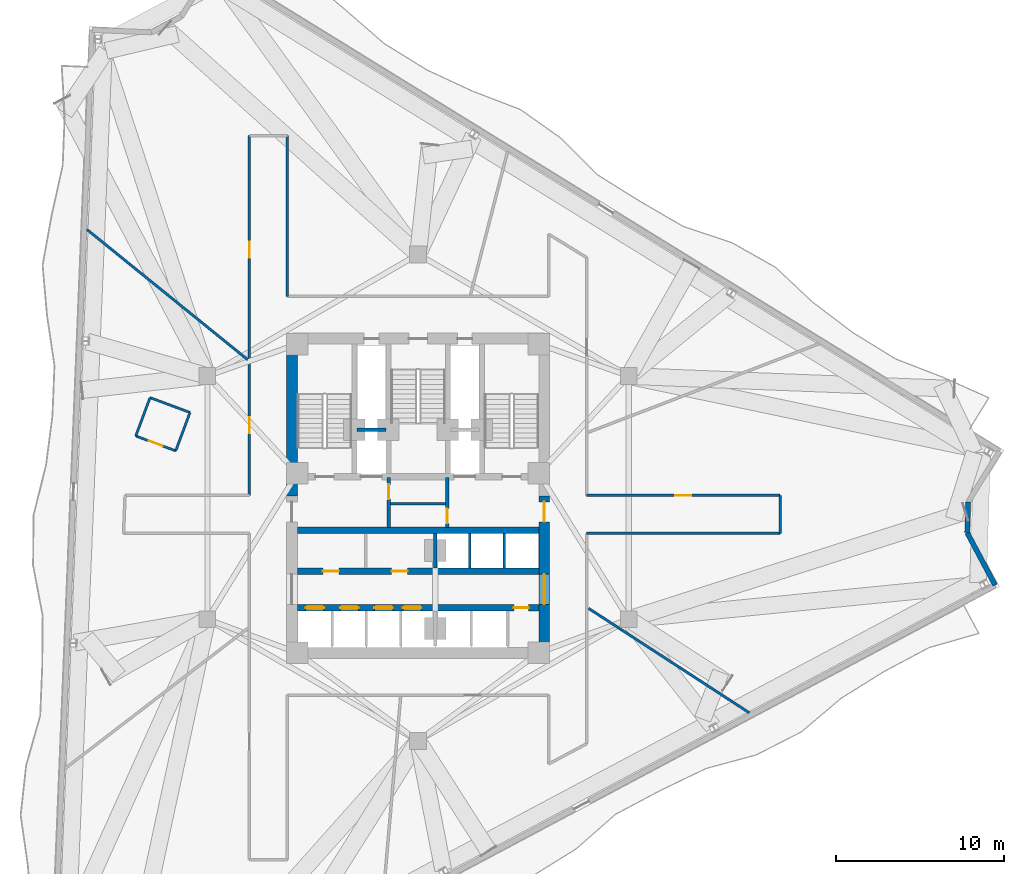
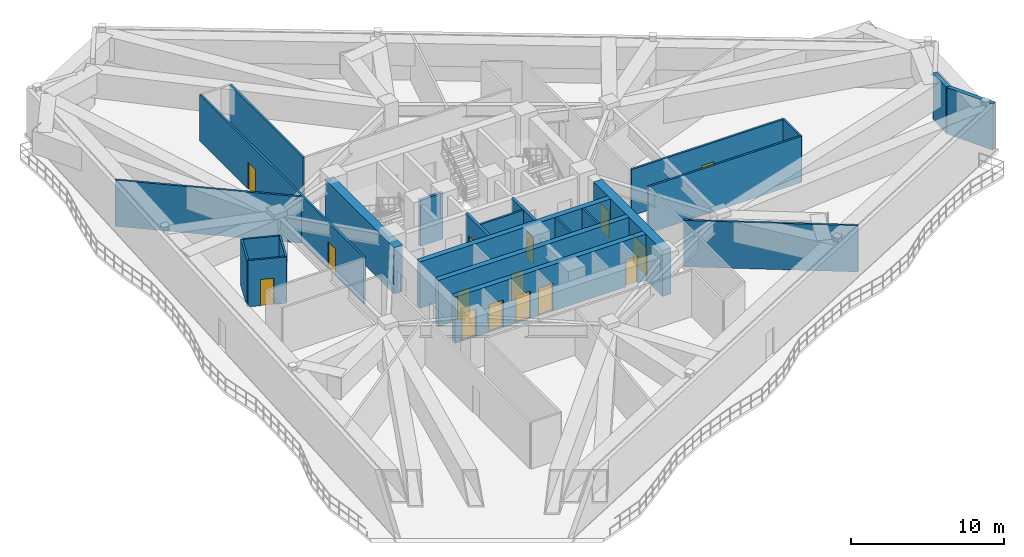
# One storey, part 9 of 14: 25 walls, 15 doors, 15 openings.
"""IFC4 building model written with IfcOpenShell, lengths in metres."""

from ifc_helpers import new_model, si_unit, direction, frame, frame_2d, origin, place, context, subcontext, project, spatial, rectangle, extrude, material, layer, layer_set, type_object, element, fill, save


model = new_model("IFC4")

# Units and contexts
model_context = context("Model", 3, precision=1e-05, world=origin(), true_north=direction((0.0, 1.0)))
body_context = subcontext(model_context, "Body", "Model", "MODEL_VIEW")
ifc_project = project(units=[si_unit("LENGTHUNIT", "METRE"), si_unit("AREAUNIT", "SQUARE_METRE"), si_unit("VOLUMEUNIT", "CUBIC_METRE"), si_unit("PLANEANGLEUNIT", "RADIAN"), si_unit("MASSUNIT", "GRAM", prefix="KILO")], contexts=[model_context])

# Site, building, storey
site_placement = place(None, origin())
site = spatial("IfcSite", under=ifc_project, at=site_placement, CompositionType="ELEMENT")
building_placement = place(site_placement, origin())
building = spatial("IfcBuilding", under=site, at=building_placement, Name="Apsidion Concourse Tower", CompositionType="ELEMENT")
storey_placement = place(building_placement, frame((0.0, 0.0, 190.10009765625)))
storey = spatial("IfcBuildingStorey", under=building, at=storey_placement, Name="L44", CompositionType="ELEMENT", Elevation=190.10009765625)

# Walls
ifc_material_1 = material(Name="Precast concrete C40/50", Category="concrete")
ifc_layer_1 = layer(ifc_material_1, 0.300048828125)
ifc_layer_set_1 = layer_set([ifc_layer_1], Name="Precast concrete C40/50")
wall_type_1 = type_object("IfcWallType", Name="WL-EXT-300", PredefinedType="STANDARD", material=ifc_layer_set_1)
wall_1_placement = place(storey_placement, frame((32.794189453125, -0.25244140625, 0.0), z_axis=(0.0, 0.0, 1.0), x_axis=(-0.031873247483, -0.999491918974, 0.0)))
element("IfcWall", 1, at=wall_1_placement, inside=storey, type_object=wall_type_1, Name="L44 Precast Stone Facade Wall 03", PredefinedType="STANDARD", context=body_context, shape_type="SweptSolid", body=[
    extrude(rectangle(XDim=1.83837890625, YDim=0.300048828125, at=frame_2d((0.919189453125, 0.0))), origin(), (0.0, 0.0, 1.0), 3.699951171875),
])
wall_2_placement = place(storey_placement, frame((32.735595703125, -2.08984375, 0.0), z_axis=(0.0, 0.0, 1.0), x_axis=(0.469464339615, -0.882951433449, 0.0)))
element("IfcWall", 2, at=wall_2_placement, inside=storey, type_object=wall_type_1, Name="L44 Precast Stone Facade Wall 04", PredefinedType="STANDARD", context=body_context, shape_type="SweptSolid", body=[
    extrude(rectangle(XDim=3.54150390625, YDim=0.300048828125, at=frame_2d((1.770751953125, 0.0))), origin(), (0.0, 0.0, 1.0), 3.699951171875),
])
ifc_material_2 = material(Name="Gypsum plasterboard partition")
ifc_layer_2 = layer(ifc_material_2, 0.139892578125)
ifc_layer_set_2 = layer_set([ifc_layer_2], Name="Gypsum plasterboard partition")
wall_type_2 = type_object("IfcWallType", Name="WL-INT-PAR-140", PredefinedType="PARTITIONING", material=ifc_layer_set_2)
wall_3_placement = place(storey_placement, frame((-13.59521484375, 5.076904296875, 0.0), z_axis=(0.0, 0.0, 1.0), x_axis=(-0.937273708628, 0.348594313084, 0.0)))
element("IfcWall", 3, at=wall_3_placement, inside=storey, type_object=wall_type_2, Name="L44 Interior Partition WL-L44-POD-OFAWC-S1", PredefinedType="PARTITIONING", context=body_context, shape_type="SweptSolid", body=[
    extrude(rectangle(XDim=2.540283203125, YDim=0.139892578125, at=frame_2d((1.27001953125, 0.0))), origin(), (0.0, 0.0, 1.0), 3.699951171875),
])
wall_4_placement = place(storey_placement, frame((-15.97607421875, 5.96240234375, 0.0), z_axis=(0.0, 0.0, 1.0), x_axis=(-0.348523164611, -0.937300167358, 0.0)))
element("IfcWall", 4, at=wall_4_placement, inside=storey, type_object=wall_type_2, Name="L44 Interior Partition WL-L44-POD-OFAWC-S2", PredefinedType="PARTITIONING", context=body_context, shape_type="SweptSolid", body=[
    extrude(rectangle(XDim=2.43994140625, YDim=0.139892578125, at=frame_2d((1.219970703125, 0.0))), origin(), (0.0, 0.0, 1.0), 3.699951171875),
])

# Wall, opening, door
wall_5_placement = place(storey_placement, frame((-16.826416015625, 3.675537109375, 0.0), z_axis=(0.0, 0.0, 1.0), x_axis=(0.937262027843, -0.348625717874, 0.0)))
wall_5 = element("IfcWall", 5, at=wall_5_placement, inside=storey, type_object=wall_type_2, Name="L44 Interior Partition WL-L44-POD-OFAWC-S3", PredefinedType="PARTITIONING", context=body_context, shape_type="SweptSolid", body=[
    extrude(rectangle(XDim=2.5400390625, YDim=0.139892578125, at=frame_2d((1.27001953125, 0.0))), origin(), (0.0, 0.0, 1.0), 3.699951171875),
])
opening_1_placement = place(wall_5_placement, frame((0.830078125, 0.0, 0.0)))
opening_1 = element("IfcOpeningElement", 6, at=opening_1_placement, cuts=wall_5, Name="Opening D-03R", PredefinedType="OPENING", context=body_context, shape_type="SweptSolid", body=[
    extrude(rectangle(XDim=0.8798828125, YDim=2.10009765625, at=frame_2d((0.43994140625, 1.050048828125))), frame((0.0, 0.080078125, 0.0), z_axis=(0.0, -1.0, 0.0), x_axis=(1.0, 0.0, 0.0)), (0.0, 0.0, 1.0), 0.159912109375),
])
ifc_material_3 = material(Name="Anodised aluminium EN AW-6063 T6", Category="aluminium")
door_type_1 = type_object("IfcDoorType", Name="DR-INT-D03R", OperationType="SINGLE_SWING_RIGHT", PredefinedType="DOOR", material=ifc_material_3)
door_1_placement = place(opening_1_placement, origin())
door_1 = element("IfcDoor", 7, at=door_1_placement, inside=storey, type_object=door_type_1, Name="L44 Office Accessible WC Door OFAWC", OperationType="SINGLE_SWING_RIGHT", OverallHeight=2.10009765625, OverallWidth=0.8798828125, PredefinedType="DOOR", context=body_context, shape_type="SweptSolid", body=[
    extrude(rectangle(XDim=0.8798828125, YDim=2.10009765625, at=frame_2d((0.43994140625, 1.050048828125))), frame((0.0, 0.02490234375, 0.0), z_axis=(0.0, -1.0, 0.0), x_axis=(1.0, 0.0, 0.0)), (0.0, 0.0, 1.0), 0.050048828125),
])
fill(opening_1, door_1)

# Walls
wall_6_placement = place(storey_placement, frame((-14.44580078125, 2.7900390625, 0.0), z_axis=(0.0, 0.0, 1.0), x_axis=(0.348611069462, 0.937267476363, 0.0)))
element("IfcWall", 8, at=wall_6_placement, inside=storey, type_object=wall_type_2, Name="L44 Interior Partition WL-L44-POD-OFAWC-S4", PredefinedType="PARTITIONING", context=body_context, shape_type="SweptSolid", body=[
    extrude(rectangle(XDim=2.43994140625, YDim=0.139892578125, at=frame_2d((1.219970703125, 0.0))), origin(), (0.0, 0.0, 1.0), 3.699951171875),
])
ifc_layer_3 = layer(ifc_material_2, 0.14990234375)
ifc_layer_set_3 = layer_set([ifc_layer_3], Name="Gypsum plasterboard partition")
wall_type_3 = type_object("IfcWallType", Name="WL-INT-PAR-150", PredefinedType="PARTITIONING", material=ifc_layer_set_3)
for number, where, z_axis, x_axis, name in (
    (9, (3.074951171875, -4.179931640625, 0.0), (0.0, 0.0, 1.0), (0.0, 1.0, 0.0), "L44 Interior Partition WL-L44-B3DIV-1"),
    (10, (5.125, -4.179931640625, 0.0), (0.0, 0.0, 1.0), (0.0, 1.0, 0.0), "L44 Interior Partition WL-L44-B3DIV-2"),
):
    element("IfcWall", number, at=place(storey_placement, frame(where, z_axis=z_axis, x_axis=x_axis)), inside=storey, type_object=wall_type_3, Name=name, PredefinedType="PARTITIONING", context=body_context, shape_type="SweptSolid", body=[
        extrude(rectangle(XDim=2.030029296875, YDim=0.14990234375, at=frame_2d((1.01513671875, 0.0))), origin(), (0.0, 0.0, 1.0), 3.699951171875),
    ])
wall_7_placement = place(storey_placement, frame((-1.6298828125, -0.35009765625, 0.0), z_axis=(0.0, 0.0, 1.0), x_axis=(1.0, 0.0, 0.0)))
element("IfcWall", 11, at=wall_7_placement, inside=storey, type_object=wall_type_3, Name="L44 Interior Partition WL-L44-K2H", PredefinedType="PARTITIONING", context=body_context, shape_type="SweptSolid", body=[
    extrude(rectangle(XDim=3.259765625, YDim=0.14990234375, at=frame_2d((1.6298828125, 0.0))), origin(), (0.0, 0.0, 1.0), 3.699951171875),
])

# Wall, openings, doors
wall_8_placement = place(storey_placement, frame((-10.050048828125, 0.1298828125, 0.0), z_axis=(0.0, 0.0, 1.0), x_axis=(0.0, 1.0, 0.0)))
wall_8 = element("IfcWall", 12, at=wall_8_placement, inside=storey, type_object=wall_type_3, Name="L44 Interior Partition WL-L44-CORR-10", PredefinedType="PARTITIONING", context=body_context, shape_type="SweptSolid", body=[
    extrude(rectangle(XDim=21.4501953125, YDim=0.14990234375, at=frame_2d((10.72509765625, 0.0))), origin(), (0.0, 0.0, 1.0), 3.699951171875),
])
opening_2_placement = place(wall_8_placement, frame((3.69921875, 0.0, 0.0)))
opening_2 = element("IfcOpeningElement", 13, at=opening_2_placement, cuts=wall_8, Name="Opening D-01L", PredefinedType="OPENING", context=body_context, shape_type="SweptSolid", body=[
    extrude(rectangle(XDim=0.949951171875, YDim=2.14990234375, at=frame_2d((0.47509765625, 1.074951171875))), frame((0.0, 0.0849609375, 0.0), z_axis=(0.0, -1.0, 0.0), x_axis=(1.0, 0.0, 0.0)), (0.0, 0.0, 1.0), 0.169921875),
])
opening_3_placement = place(wall_8_placement, frame((14.171142578125, 0.0, 0.0)))
opening_3 = element("IfcOpeningElement", 14, at=opening_3_placement, cuts=wall_8, Name="Opening D-01R", PredefinedType="OPENING", context=body_context, shape_type="SweptSolid", body=[
    extrude(rectangle(XDim=0.949951171875, YDim=2.14990234375, at=frame_2d((0.47509765625, 1.074951171875))), frame((0.0, 0.0849609375, 0.0), z_axis=(0.0, -1.0, 0.0), x_axis=(1.0, 0.0, 0.0)), (0.0, 0.0, 1.0), 0.169921875),
])
ifc_material_4 = material(Name="Brushed stainless steel 316", Category="steel")
door_type_2 = type_object("IfcDoorType", Name="DR-INT-D01L", OperationType="SINGLE_SWING_LEFT", PredefinedType="DOOR", material=ifc_material_4)
door_2_placement = place(opening_2_placement, origin())
door_2 = element("IfcDoor", 15, at=door_2_placement, inside=storey, type_object=door_type_2, Name="L44 Corridor Entry Door 01", OperationType="SINGLE_SWING_LEFT", OverallHeight=2.14990234375, OverallWidth=0.949951171875, PredefinedType="DOOR", context=body_context, shape_type="SweptSolid", body=[
    extrude(rectangle(XDim=0.949951171875, YDim=2.14990234375, at=frame_2d((0.47509765625, 1.074951171875))), frame((0.0, 0.02490234375, 0.0), z_axis=(0.0, -1.0, 0.0), x_axis=(1.0, 0.0, 0.0)), (0.0, 0.0, 1.0), 0.050048828125),
])
fill(opening_2, door_2)
door_type_3 = type_object("IfcDoorType", Name="DR-INT-D01R", OperationType="SINGLE_SWING_RIGHT", PredefinedType="DOOR", material=ifc_material_4)
door_3_placement = place(opening_3_placement, origin())
door_3 = element("IfcDoor", 16, at=door_3_placement, inside=storey, type_object=door_type_3, Name="L44 Corridor Entry Door 06", OperationType="SINGLE_SWING_RIGHT", OverallHeight=2.14990234375, OverallWidth=0.949951171875, PredefinedType="DOOR", context=body_context, shape_type="SweptSolid", body=[
    extrude(rectangle(XDim=0.949951171875, YDim=2.14990234375, at=frame_2d((0.47509765625, 1.074951171875))), frame((0.0, 0.02490234375, 0.0), z_axis=(0.0, -1.0, 0.0), x_axis=(1.0, 0.0, 0.0)), (0.0, 0.0, 1.0), 0.050048828125),
])
fill(opening_3, door_3)

# Wall
wall_9_placement = place(storey_placement, frame((-7.7900390625, 21.580078125, 0.0), z_axis=(0.0, 0.0, 1.0), x_axis=(0.0, -1.0, 0.0)))
element("IfcWall", 17, at=wall_9_placement, inside=storey, type_object=wall_type_3, Name="L44 Interior Partition WL-L44-CORR-12", PredefinedType="PARTITIONING", context=body_context, shape_type="SweptSolid", body=[
    extrude(rectangle(XDim=9.580078125, YDim=0.14990234375, at=frame_2d((4.7900390625, 0.0))), origin(), (0.0, 0.0, 1.0), 3.699951171875),
])

# Wall, opening, door
wall_10_placement = place(storey_placement, frame((10.050048828125, 0.1298828125, 0.0), z_axis=(0.0, 0.0, 1.0), x_axis=(1.0, 0.0, 0.0)))
wall_10 = element("IfcWall", 18, at=wall_10_placement, inside=storey, type_object=wall_type_3, Name="L44 Interior Partition WL-L44-CORR-17", PredefinedType="PARTITIONING", context=body_context, shape_type="SweptSolid", body=[
    extrude(rectangle(XDim=11.530029296875, YDim=0.14990234375, at=frame_2d((5.76513671875, 0.0))), origin(), (0.0, 0.0, 1.0), 3.699951171875),
])
opening_4_placement = place(wall_10_placement, frame((5.2900390625, 0.0, 0.0)))
opening_4 = element("IfcOpeningElement", 19, at=opening_4_placement, cuts=wall_10, Name="Opening D-01R", PredefinedType="OPENING", context=body_context, shape_type="SweptSolid", body=[
    extrude(rectangle(XDim=0.949951171875, YDim=2.14990234375, at=frame_2d((0.47509765625, 1.074951171875))), frame((0.0, 0.0849609375, 0.0), z_axis=(0.0, -1.0, 0.0), x_axis=(1.0, 0.0, 0.0)), (0.0, 0.0, 1.0), 0.169921875),
])
door_4_placement = place(opening_4_placement, origin())
door_4 = element("IfcDoor", 20, at=door_4_placement, inside=storey, type_object=door_type_3, Name="L44 Corridor Entry Door 04", OperationType="SINGLE_SWING_RIGHT", OverallHeight=2.14990234375, OverallWidth=0.949951171875, PredefinedType="DOOR", context=body_context, shape_type="SweptSolid", body=[
    extrude(rectangle(XDim=0.949951171875, YDim=2.14990234375, at=frame_2d((0.47509765625, 1.074951171875))), frame((0.0, 0.02490234375, 0.0), z_axis=(0.0, -1.0, 0.0), x_axis=(1.0, 0.0, 0.0)), (0.0, 0.0, 1.0), 0.050048828125),
])
fill(opening_4, door_4)

# Walls
wall_11_placement = place(storey_placement, frame((21.580078125, 0.1298828125, 0.0), z_axis=(0.0, 0.0, 1.0), x_axis=(0.0, -1.0, 0.0)))
element("IfcWall", 21, at=wall_11_placement, inside=storey, type_object=wall_type_3, Name="L44 Interior Partition WL-L44-CORR-18", PredefinedType="PARTITIONING", context=body_context, shape_type="SweptSolid", body=[
    extrude(rectangle(XDim=2.259765625, YDim=0.14990234375, at=frame_2d((1.1298828125, 0.0))), origin(), (0.0, 0.0, 1.0), 3.699951171875),
])
wall_12_placement = place(storey_placement, frame((21.580078125, -2.1298828125, 0.0), z_axis=(0.0, 0.0, 1.0), x_axis=(-1.0, 0.0, 0.0)))
element("IfcWall", 22, at=wall_12_placement, inside=storey, type_object=wall_type_3, Name="L44 Interior Partition WL-L44-CORR-19", PredefinedType="PARTITIONING", context=body_context, shape_type="SweptSolid", body=[
    extrude(rectangle(XDim=11.530029296875, YDim=0.14990234375, at=frame_2d((5.76513671875, 0.0))), origin(), (0.0, 0.0, 1.0), 3.699951171875),
])
wall_13_placement = place(storey_placement, frame((-10.155029296875, 8.223388671875, 0.0), z_axis=(0.0, 0.0, 1.0), x_axis=(-0.777144819035, 0.629321801821, 0.0)))
element("IfcWall", 23, at=wall_13_placement, inside=storey, type_object=wall_type_3, Name="L44 Interior Partition WL-L44-RAD-03-1", PredefinedType="PARTITIONING", context=body_context, shape_type="SweptSolid", body=[
    extrude(rectangle(XDim=12.332275390625, YDim=0.14990234375, at=frame_2d((6.166015625, 0.0))), origin(), (0.0, 0.0, 1.0), 3.699951171875),
])
wall_14_placement = place(storey_placement, frame((10.155029296875, -6.5947265625, 0.0), z_axis=(0.0, 0.0, 1.0), x_axis=(0.838665527381, -0.544646796725, 0.0)))
element("IfcWall", 24, at=wall_14_placement, inside=storey, type_object=wall_type_3, Name="L44 Interior Partition WL-L44-RAD-06-1", PredefinedType="PARTITIONING", context=body_context, shape_type="SweptSolid", body=[
    extrude(rectangle(XDim=11.43310546875, YDim=0.14990234375, at=frame_2d((5.716552734375, 0.0))), origin(), (0.0, 0.0, 1.0), 3.699951171875),
])
ifc_layer_4 = layer(ifc_material_2, 0.179931640625)
ifc_layer_set_4 = layer_set([ifc_layer_4], Name="Gypsum plasterboard partition")
wall_type_4 = type_object("IfcWallType", Name="WL-INT-PAR-180", PredefinedType="PARTITIONING", material=ifc_layer_set_4)
wall_15_placement = place(storey_placement, frame((1.02490234375, -4.179931640625, 0.0), z_axis=(0.0, 0.0, 1.0), x_axis=(0.0, 1.0, 0.0)))
element("IfcWall", 25, at=wall_15_placement, inside=storey, type_object=wall_type_4, Name="L44 Interior Partition WL-L44-B1END", PredefinedType="PARTITIONING", context=body_context, shape_type="SweptSolid", body=[
    extrude(rectangle(XDim=2.030029296875, YDim=0.179931640625, at=frame_2d((1.01513671875, 0.0))), origin(), (0.0, 0.0, 1.0), 2.747802734375),
])
ifc_layer_5 = layer(ifc_material_2, 0.199951171875)
ifc_layer_set_5 = layer_set([ifc_layer_5], Name="Gypsum plasterboard partition")
wall_type_5 = type_object("IfcWallType", Name="WL-INT-PAR-200", PredefinedType="PARTITIONING", material=ifc_layer_set_5)
wall_16_placement = place(storey_placement, frame((-3.64990234375, 4.050048828125, 0.0), z_axis=(0.0, 0.0, 1.0), x_axis=(1.0, 0.0, 0.0)))
element("IfcWall", 26, at=wall_16_placement, inside=storey, type_object=wall_type_5, Name="L44 Interior Partition WL-L44-FF1-N", PredefinedType="PARTITIONING", context=body_context, shape_type="SweptSolid", body=[
    extrude(rectangle(XDim=1.72998046875, YDim=0.199951171875, at=frame_2d((0.864990234375, 0.0))), origin(), (0.0, 0.0, 1.0), 3.699951171875),
])

# Wall, opening, door
wall_17_placement = place(storey_placement, frame((-1.739990234375, -1.780029296875, 0.0), z_axis=(0.0, 0.0, 1.0), x_axis=(0.0, 1.0, 0.0)))
wall_17 = element("IfcWall", 27, at=wall_17_placement, inside=storey, type_object=wall_type_5, Name="L44 Interior Partition WL-L44-FF1-E", PredefinedType="PARTITIONING", context=body_context, shape_type="SweptSolid", body=[
    extrude(rectangle(XDim=2.97998046875, YDim=0.199951171875, at=frame_2d((1.489990234375, 0.0))), origin(), (0.0, 0.0, 1.0), 3.699951171875),
])
opening_5_placement = place(wall_17_placement, frame((1.68994140625, 0.0, 0.0)))
opening_5 = element("IfcOpeningElement", 28, at=opening_5_placement, cuts=wall_17, Name="Opening D-05L", PredefinedType="OPENING", context=body_context, shape_type="SweptSolid", body=[
    extrude(rectangle(XDim=0.8798828125, YDim=2.14990234375, at=frame_2d((0.43994140625, 1.074951171875))), frame((0.0, 0.10986328125, 0.0), z_axis=(0.0, -1.0, 0.0), x_axis=(1.0, 0.0, 0.0)), (0.0, 0.0, 1.0), 0.219970703125),
])
door_type_4 = type_object("IfcDoorType", Name="DR-INT-D05L", OperationType="SINGLE_SWING_LEFT", PredefinedType="DOOR", material=ifc_material_4)
door_5_placement = place(opening_5_placement, origin())
door_5 = element("IfcDoor", 29, at=door_5_placement, inside=storey, type_object=door_type_4, Name="L44 Core Staff WC Door", OperationType="SINGLE_SWING_LEFT", OverallHeight=2.14990234375, OverallWidth=0.8798828125, PredefinedType="DOOR", context=body_context, shape_type="SweptSolid", body=[
    extrude(rectangle(XDim=0.8798828125, YDim=2.14990234375, at=frame_2d((0.43994140625, 1.074951171875))), frame((0.0, 0.02490234375, 0.0), z_axis=(0.0, -1.0, 0.0), x_axis=(1.0, 0.0, 0.0)), (0.0, 0.0, 1.0), 0.050048828125),
])
fill(opening_5, door_5)

wall_18_placement = place(storey_placement, frame((1.739990234375, -1.780029296875, 0.0), z_axis=(0.0, 0.0, 1.0), x_axis=(0.0, 1.0, 0.0)))
wall_18 = element("IfcWall", 30, at=wall_18_placement, inside=storey, type_object=wall_type_5, Name="L44 Interior Partition WL-L44-FF2-W", PredefinedType="PARTITIONING", context=body_context, shape_type="SweptSolid", body=[
    extrude(rectangle(XDim=2.97998046875, YDim=0.199951171875, at=frame_2d((1.489990234375, 0.0))), origin(), (0.0, 0.0, 1.0), 3.699951171875),
])
opening_6_placement = place(wall_18_placement, frame((0.239990234375, 0.0, 0.0)))
opening_6 = element("IfcOpeningElement", 31, at=opening_6_placement, cuts=wall_18, Name="Opening D-05R", PredefinedType="OPENING", context=body_context, shape_type="SweptSolid", body=[
    extrude(rectangle(XDim=0.8798828125, YDim=2.14990234375, at=frame_2d((0.43994140625, 1.074951171875))), frame((0.0, 0.10986328125, 0.0), z_axis=(0.0, -1.0, 0.0), x_axis=(1.0, 0.0, 0.0)), (0.0, 0.0, 1.0), 0.219970703125),
])
door_type_5 = type_object("IfcDoorType", Name="DR-INT-D05R", OperationType="SINGLE_SWING_RIGHT", PredefinedType="DOOR", material=ifc_material_4)
door_6_placement = place(opening_6_placement, origin())
door_6 = element("IfcDoor", 32, at=door_6_placement, inside=storey, type_object=door_type_5, Name="L44 Core Supply Store Door", OperationType="SINGLE_SWING_RIGHT", OverallHeight=2.14990234375, OverallWidth=0.8798828125, PredefinedType="DOOR", context=body_context, shape_type="SweptSolid", body=[
    extrude(rectangle(XDim=0.8798828125, YDim=2.14990234375, at=frame_2d((0.43994140625, 1.074951171875))), frame((0.0, 0.02490234375, 0.0), z_axis=(0.0, -1.0, 0.0), x_axis=(1.0, 0.0, 0.0)), (0.0, 0.0, 1.0), 0.050048828125),
])
fill(opening_6, door_6)

# Wall
ifc_material_5 = material(Name="Concrete C50/60", Category="concrete")
ifc_layer_6 = layer(ifc_material_5, 0.39990234375)
ifc_layer_set_6 = layer_set([ifc_layer_6], Name="Concrete C50/60")
wall_type_6 = type_object("IfcWallType", Name="WL-SH-400", PredefinedType="SHEAR", material=ifc_layer_set_6)
wall_19_placement = place(storey_placement, frame((-7.199951171875, -1.949951171875, 0.0), z_axis=(0.0, 0.0, 1.0), x_axis=(1.0, 0.0, 0.0)))
element("IfcWall", 33, at=wall_19_placement, inside=storey, type_object=wall_type_6, Name="L44 Central Core Shear Wall M2", PredefinedType="SHEAR", context=body_context, shape_type="SweptSolid", body=[
    extrude(rectangle(XDim=14.39990234375, YDim=0.39990234375, at=frame_2d((7.199951171875, 0.0))), origin(), (0.0, 0.0, 1.0), 3.699951171875),
])

# Wall, openings, doors
wall_20_placement = place(storey_placement, frame((-7.199951171875, -4.3798828125, 0.0), z_axis=(0.0, 0.0, 1.0), x_axis=(1.0, 0.0, 0.0)))
wall_20 = element("IfcWall", 34, at=wall_20_placement, inside=storey, type_object=wall_type_6, Name="L44 Central Core Shear Wall LA", PredefinedType="SHEAR", context=body_context, shape_type="SweptSolid", body=[
    extrude(rectangle(XDim=14.39990234375, YDim=0.39990234375, at=frame_2d((7.199951171875, 0.0))), origin(), (0.0, 0.0, 1.0), 3.699951171875),
])
opening_7_placement = place(wall_20_placement, frame((1.52490234375, 0.0, 0.0)))
opening_7 = element("IfcOpeningElement", 35, at=opening_7_placement, cuts=wall_20, Name="Opening D-04L", PredefinedType="OPENING", context=body_context, shape_type="SweptSolid", body=[
    extrude(rectangle(XDim=0.949951171875, YDim=2.14990234375, at=frame_2d((0.47509765625, 1.074951171875))), frame((0.0, 0.2099609375, 0.0), z_axis=(0.0, -1.0, 0.0), x_axis=(1.0, 0.0, 0.0)), (0.0, 0.0, 1.0), 0.419921875),
])
opening_8_placement = place(wall_20_placement, frame((5.625, 0.0, 0.0)))
opening_8 = element("IfcOpeningElement", 36, at=opening_8_placement, cuts=wall_20, Name="Opening D-04R", PredefinedType="OPENING", context=body_context, shape_type="SweptSolid", body=[
    extrude(rectangle(XDim=0.949951171875, YDim=2.14990234375, at=frame_2d((0.47509765625, 1.074951171875))), frame((0.0, 0.2099609375, 0.0), z_axis=(0.0, -1.0, 0.0), x_axis=(1.0, 0.0, 0.0)), (0.0, 0.0, 1.0), 0.419921875),
])
door_type_6 = type_object("IfcDoorType", Name="DR-INT-D04L", OperationType="SINGLE_SWING_LEFT", PredefinedType="DOOR", material=ifc_material_4)
door_7_placement = place(opening_7_placement, origin())
door_7 = element("IfcDoor", 37, at=door_7_placement, inside=storey, type_object=door_type_6, Name="L44 Tenant Archive Room West Door", OperationType="SINGLE_SWING_LEFT", OverallHeight=2.14990234375, OverallWidth=0.949951171875, PredefinedType="DOOR", context=body_context, shape_type="SweptSolid", body=[
    extrude(rectangle(XDim=0.949951171875, YDim=2.14990234375, at=frame_2d((0.47509765625, 1.074951171875))), frame((0.0, 0.02490234375, 0.0), z_axis=(0.0, -1.0, 0.0), x_axis=(1.0, 0.0, 0.0)), (0.0, 0.0, 1.0), 0.050048828125),
])
fill(opening_7, door_7)
door_type_7 = type_object("IfcDoorType", Name="DR-INT-D04R", OperationType="SINGLE_SWING_RIGHT", PredefinedType="DOOR", material=ifc_material_4)
door_8_placement = place(opening_8_placement, origin())
door_8 = element("IfcDoor", 38, at=door_8_placement, inside=storey, type_object=door_type_7, Name="L44 Core Print and Copy Room Door", OperationType="SINGLE_SWING_RIGHT", OverallHeight=2.14990234375, OverallWidth=0.949951171875, PredefinedType="DOOR", context=body_context, shape_type="SweptSolid", body=[
    extrude(rectangle(XDim=0.949951171875, YDim=2.14990234375, at=frame_2d((0.47509765625, 1.074951171875))), frame((0.0, 0.02490234375, 0.0), z_axis=(0.0, -1.0, 0.0), x_axis=(1.0, 0.0, 0.0)), (0.0, 0.0, 1.0), 0.050048828125),
])
fill(opening_8, door_8)

wall_21_placement = place(storey_placement, frame((-7.199951171875, -6.570068359375, 0.0), z_axis=(0.0, 0.0, 1.0), x_axis=(1.0, 0.0, 0.0)))
wall_21 = element("IfcWall", 39, at=wall_21_placement, inside=storey, type_object=wall_type_6, Name="L44 Central Core Shear Wall LB", PredefinedType="SHEAR", context=body_context, shape_type="SweptSolid", body=[
    extrude(rectangle(XDim=14.39990234375, YDim=0.39990234375, at=frame_2d((7.199951171875, 0.0))), origin(), (0.0, 0.0, 1.0), 3.699951171875),
])
opening_9_placement = place(wall_21_placement, frame((0.5, 0.0, 0.0)))
opening_9 = element("IfcOpeningElement", 40, at=opening_9_placement, cuts=wall_21, Name="Opening LD-P1", PredefinedType="OPENING", context=body_context, shape_type="SweptSolid", body=[
    extrude(rectangle(XDim=1.10009765625, YDim=2.199951171875, at=frame_2d((0.550048828125, 1.10009765625))), frame((0.0, 0.2099609375, 0.0), z_axis=(0.0, -1.0, 0.0), x_axis=(1.0, 0.0, 0.0)), (0.0, 0.0, 1.0), 0.419921875),
])
opening_10_placement = place(wall_21_placement, frame((2.550048828125, 0.0, 0.0)))
opening_10 = element("IfcOpeningElement", 41, at=opening_10_placement, cuts=wall_21, Name="Opening LD-P1", PredefinedType="OPENING", context=body_context, shape_type="SweptSolid", body=[
    extrude(rectangle(XDim=1.10009765625, YDim=2.199951171875, at=frame_2d((0.550048828125, 1.10009765625))), frame((0.0, 0.2099609375, 0.0), z_axis=(0.0, -1.0, 0.0), x_axis=(1.0, 0.0, 0.0)), (0.0, 0.0, 1.0), 0.419921875),
])
opening_11_placement = place(wall_21_placement, frame((4.60009765625, 0.0, 0.0)))
opening_11 = element("IfcOpeningElement", 42, at=opening_11_placement, cuts=wall_21, Name="Opening LD-P1", PredefinedType="OPENING", context=body_context, shape_type="SweptSolid", body=[
    extrude(rectangle(XDim=1.10009765625, YDim=2.199951171875, at=frame_2d((0.550048828125, 1.10009765625))), frame((0.0, 0.2099609375, 0.0), z_axis=(0.0, -1.0, 0.0), x_axis=(1.0, 0.0, 0.0)), (0.0, 0.0, 1.0), 0.419921875),
])
opening_12_placement = place(wall_21_placement, frame((6.300048828125, 0.0, 0.0)))
opening_12 = element("IfcOpeningElement", 43, at=opening_12_placement, cuts=wall_21, Name="Opening LD-P1", PredefinedType="OPENING", context=body_context, shape_type="SweptSolid", body=[
    extrude(rectangle(XDim=1.10009765625, YDim=2.199951171875, at=frame_2d((0.550048828125, 1.10009765625))), frame((0.0, 0.2099609375, 0.0), z_axis=(0.0, -1.0, 0.0), x_axis=(1.0, 0.0, 0.0)), (0.0, 0.0, 1.0), 0.419921875),
])
opening_13_placement = place(wall_21_placement, frame((12.909912109375, 0.0, 0.0)))
opening_13 = element("IfcOpeningElement", 44, at=opening_13_placement, cuts=wall_21, Name="Opening D-05L", PredefinedType="OPENING", context=body_context, shape_type="SweptSolid", body=[
    extrude(rectangle(XDim=0.8798828125, YDim=2.14990234375, at=frame_2d((0.43994140625, 1.074951171875))), frame((0.0, 0.2099609375, 0.0), z_axis=(0.0, -1.0, 0.0), x_axis=(1.0, 0.0, 0.0)), (0.0, 0.0, 1.0), 0.419921875),
])
door_9_placement = place(opening_13_placement, origin())
door_9 = element("IfcDoor", 45, at=door_9_placement, inside=storey, type_object=door_type_4, Name="L44 Cleaners Store Door", OperationType="SINGLE_SWING_LEFT", OverallHeight=2.14990234375, OverallWidth=0.8798828125, PredefinedType="DOOR", context=body_context, shape_type="SweptSolid", body=[
    extrude(rectangle(XDim=0.8798828125, YDim=2.14990234375, at=frame_2d((0.43994140625, 1.074951171875))), frame((0.0, 0.02490234375, 0.0), z_axis=(0.0, -1.0, 0.0), x_axis=(1.0, 0.0, 0.0)), (0.0, 0.0, 1.0), 0.050048828125),
])
fill(opening_13, door_9)
door_type_8 = type_object("IfcDoorType", Name="DR-LD-PASS", OperationType="DOUBLE_DOOR_SLIDING", PredefinedType="DOOR", material=ifc_material_4)
door_10_placement = place(opening_9_placement, origin())
door_10 = element("IfcDoor", 46, at=door_10_placement, inside=storey, type_object=door_type_8, Name="L44 Lift Landing Door P5", OperationType="DOUBLE_DOOR_SLIDING", OverallHeight=2.199951171875, OverallWidth=1.10009765625, PredefinedType="DOOR", context=body_context, shape_type="SweptSolid", body=[
    extrude(rectangle(XDim=1.10009765625, YDim=2.199951171875, at=frame_2d((0.550048828125, 1.10009765625))), frame((0.0, 0.02490234375, 0.0), z_axis=(0.0, -1.0, 0.0), x_axis=(1.0, 0.0, 0.0)), (0.0, 0.0, 1.0), 0.050048828125),
])
fill(opening_9, door_10)
door_11_placement = place(opening_10_placement, origin())
door_11 = element("IfcDoor", 47, at=door_11_placement, inside=storey, type_object=door_type_8, Name="L44 Lift Landing Door P6", OperationType="DOUBLE_DOOR_SLIDING", OverallHeight=2.199951171875, OverallWidth=1.10009765625, PredefinedType="DOOR", context=body_context, shape_type="SweptSolid", body=[
    extrude(rectangle(XDim=1.10009765625, YDim=2.199951171875, at=frame_2d((0.550048828125, 1.10009765625))), frame((0.0, 0.02490234375, 0.0), z_axis=(0.0, -1.0, 0.0), x_axis=(1.0, 0.0, 0.0)), (0.0, 0.0, 1.0), 0.050048828125),
])
fill(opening_10, door_11)
door_12_placement = place(opening_11_placement, origin())
door_12 = element("IfcDoor", 48, at=door_12_placement, inside=storey, type_object=door_type_8, Name="L44 Lift Landing Door P7", OperationType="DOUBLE_DOOR_SLIDING", OverallHeight=2.199951171875, OverallWidth=1.10009765625, PredefinedType="DOOR", context=body_context, shape_type="SweptSolid", body=[
    extrude(rectangle(XDim=1.10009765625, YDim=2.199951171875, at=frame_2d((0.550048828125, 1.10009765625))), frame((0.0, 0.02490234375, 0.0), z_axis=(0.0, -1.0, 0.0), x_axis=(1.0, 0.0, 0.0)), (0.0, 0.0, 1.0), 0.050048828125),
])
fill(opening_11, door_12)
door_13_placement = place(opening_12_placement, origin())
door_13 = element("IfcDoor", 49, at=door_13_placement, inside=storey, type_object=door_type_8, Name="L44 Lift Landing Door P8", OperationType="DOUBLE_DOOR_SLIDING", OverallHeight=2.199951171875, OverallWidth=1.10009765625, PredefinedType="DOOR", context=body_context, shape_type="SweptSolid", body=[
    extrude(rectangle(XDim=1.10009765625, YDim=2.199951171875, at=frame_2d((0.550048828125, 1.10009765625))), frame((0.0, 0.02490234375, 0.0), z_axis=(0.0, -1.0, 0.0), x_axis=(1.0, 0.0, 0.0)), (0.0, 0.0, 1.0), 0.050048828125),
])
fill(opening_12, door_13)

# Wall
ifc_layer_7 = layer(ifc_material_5, 0.64990234375)
ifc_layer_set_7 = layer_set([ifc_layer_7], Name="Concrete C50/60")
wall_type_7 = type_object("IfcWallType", Name="WL-SH-650", PredefinedType="SHEAR", material=ifc_layer_set_7)
wall_22_placement = place(storey_placement, frame((-7.52490234375, 0.10009765625, 0.0), z_axis=(0.0, 0.0, 1.0), x_axis=(0.0, 1.0, 0.0)))
element("IfcWall", 50, at=wall_22_placement, inside=storey, type_object=wall_type_7, Name="L44 Central Core Shear Wall WN", PredefinedType="SHEAR", context=body_context, shape_type="SweptSolid", body=[
    extrude(rectangle(XDim=9.0498046875, YDim=0.64990234375, at=frame_2d((4.52490234375, 0.0))), origin(), (0.0, 0.0, 1.0), 3.699951171875),
])

# Wall, openings, doors
wall_23_placement = place(storey_placement, frame((7.52490234375, -8.925048828125, 0.0), z_axis=(0.0, 0.0, 1.0), x_axis=(0.0, 1.0, 0.0)))
wall_23 = element("IfcWall", 51, at=wall_23_placement, inside=storey, type_object=wall_type_7, Name="L44 Central Core Shear Wall ES", PredefinedType="SHEAR", context=body_context, shape_type="SweptSolid", body=[
    extrude(rectangle(XDim=9.025146484375, YDim=0.64990234375, at=frame_2d((4.5126953125, 0.0))), origin(), (0.0, 0.0, 1.0), 3.699951171875),
])
opening_14_placement = place(wall_23_placement, frame((2.56494140625, 0.0, 0.0)))
opening_14 = element("IfcOpeningElement", 52, at=opening_14_placement, cuts=wall_23, Name="Opening D-06D", PredefinedType="OPENING", context=body_context, shape_type="SweptSolid", body=[
    extrude(rectangle(XDim=1.800048828125, YDim=2.199951171875, at=frame_2d((0.89990234375, 1.10009765625))), frame((0.0, 0.3349609375, 0.0), z_axis=(0.0, -1.0, 0.0), x_axis=(1.0, 0.0, 0.0)), (0.0, 0.0, 1.0), 0.669921875),
])
opening_15_placement = place(wall_23_placement, frame((7.47509765625, 0.0, 0.0)))
opening_15 = element("IfcOpeningElement", 53, at=opening_15_placement, cuts=wall_23, Name="Opening D-FFR", PredefinedType="OPENING", context=body_context, shape_type="SweptSolid", body=[
    extrude(rectangle(XDim=1.199951171875, YDim=2.14990234375, at=frame_2d((0.60009765625, 1.074951171875))), frame((0.0, 0.3349609375, 0.0), z_axis=(0.0, -1.0, 0.0), x_axis=(1.0, 0.0, 0.0)), (0.0, 0.0, 1.0), 0.669921875),
])
door_type_9 = type_object("IfcDoorType", Name="DR-INT-D06D", OperationType="DOUBLE_DOOR_SINGLE_SWING", PredefinedType="DOOR", material=ifc_material_4)
door_14_placement = place(opening_14_placement, origin())
door_14 = element("IfcDoor", 54, at=door_14_placement, inside=storey, type_object=door_type_9, Name="L44 Passenger Lift Lobby ES Portal Door", OperationType="DOUBLE_DOOR_SINGLE_SWING", OverallHeight=2.199951171875, OverallWidth=1.800048828125, PredefinedType="DOOR", context=body_context, shape_type="SweptSolid", body=[
    extrude(rectangle(XDim=1.800048828125, YDim=2.199951171875, at=frame_2d((0.89990234375, 1.10009765625))), frame((0.0, 0.02490234375, 0.0), z_axis=(0.0, -1.0, 0.0), x_axis=(1.0, 0.0, 0.0)), (0.0, 0.0, 1.0), 0.050048828125),
])
fill(opening_14, door_14)
door_type_10 = type_object("IfcDoorType", Name="DR-INT-FFR", OperationType="SINGLE_SWING_RIGHT", PredefinedType="DOOR", material=ifc_material_4)
door_15_placement = place(opening_15_placement, origin())
door_15 = element("IfcDoor", 55, at=door_15_placement, inside=storey, type_object=door_type_10, Name="L44 Firefighting Lift Lobby FF2 Door", OperationType="SINGLE_SWING_RIGHT", OverallHeight=2.14990234375, OverallWidth=1.199951171875, PredefinedType="DOOR", context=body_context, shape_type="SweptSolid", body=[
    extrude(rectangle(XDim=1.199951171875, YDim=2.14990234375, at=frame_2d((0.60009765625, 1.074951171875))), frame((0.0, 0.02490234375, 0.0), z_axis=(0.0, -1.0, 0.0), x_axis=(1.0, 0.0, 0.0)), (0.0, 0.0, 1.0), 0.050048828125),
])
fill(opening_15, door_15)

save(model, "model.ifc")
